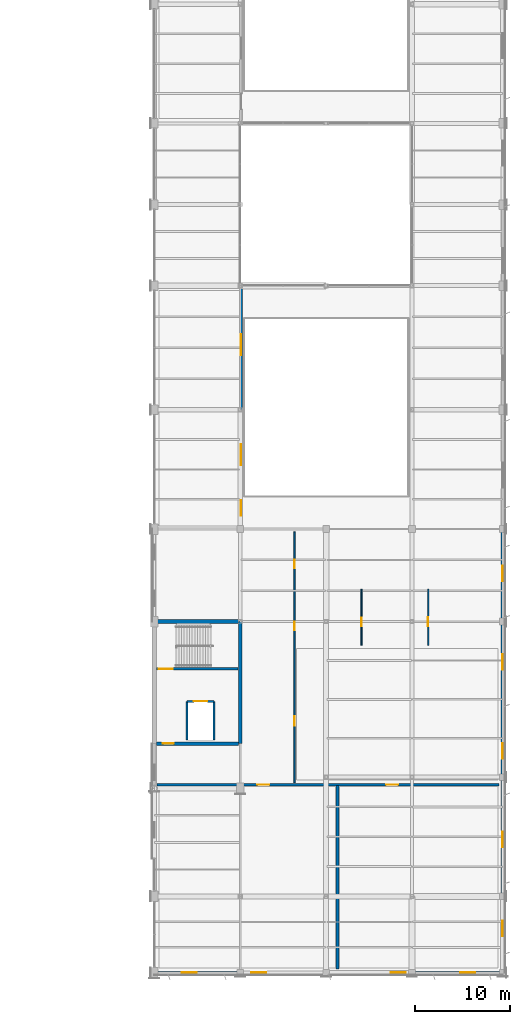
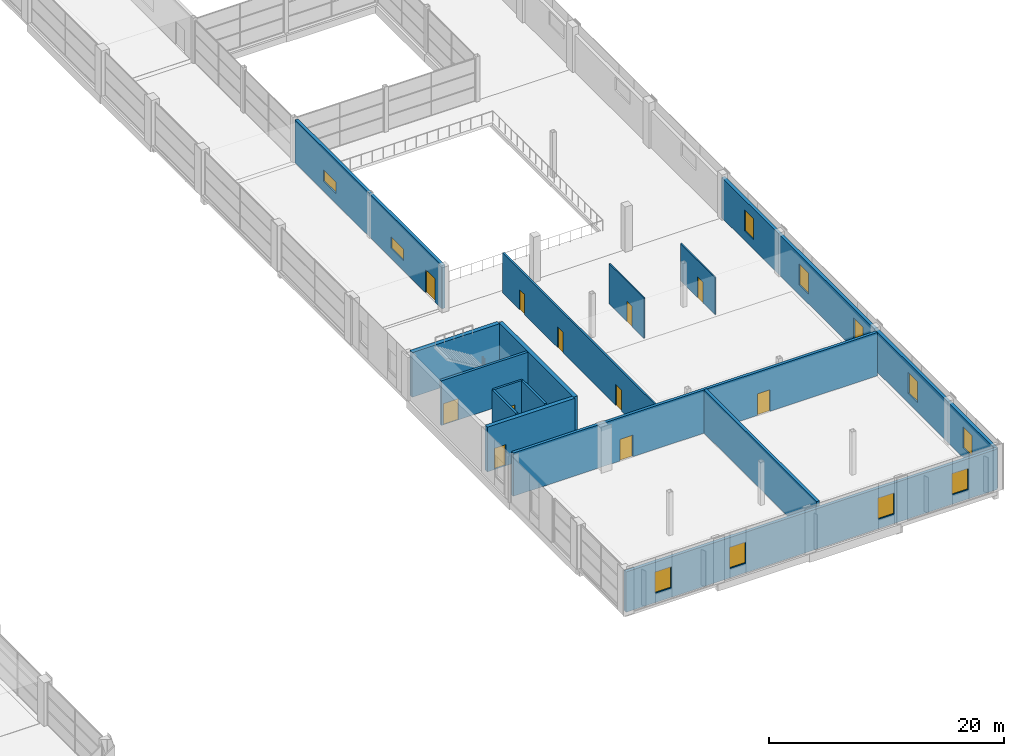
# One storey, part 94 of 112: 15 walls, 11 doors, 11 windows, 22 openings.
"""IFC4 building model written with IfcOpenShell, lengths in metres."""

from ifc_helpers import new_model, si_unit, direction, frame, frame_2d, origin, place, context, subcontext, project, spatial, rectangle, extrude, material, layer, layer_set, type_object, element, fill, save


model = new_model("IFC4")

# Units and contexts
model_context = context("Model", 3, precision=1e-05, world=origin(), true_north=direction((0.0, 1.0)))
body_context = subcontext(model_context, "Body", "Model", "MODEL_VIEW")
ifc_project = project(units=[si_unit("LENGTHUNIT", "METRE"), si_unit("AREAUNIT", "SQUARE_METRE"), si_unit("VOLUMEUNIT", "CUBIC_METRE"), si_unit("PLANEANGLEUNIT", "RADIAN"), si_unit("MASSUNIT", "GRAM", prefix="KILO")], contexts=[model_context])

# Site, building, storey
site_placement = place(None, origin())
site = spatial("IfcSite", under=ifc_project, at=site_placement, CompositionType="ELEMENT")
building_placement = place(site_placement, origin())
building = spatial("IfcBuilding", under=site, at=building_placement, Name="Solvikara Media Centre", CompositionType="ELEMENT")
storey_placement = place(building_placement, frame((0.0, 0.0, 5.39990234375)))
storey = spatial("IfcBuildingStorey", under=building, at=storey_placement, Name="L01", CompositionType="ELEMENT", Elevation=5.39990234375)

# Walls
ifc_material_1 = material(Name="Concrete fc' 45 MPa (C45/55)", Category="concrete")
ifc_layer_1 = layer(ifc_material_1, 0.39990234375)
ifc_layer_set_1 = layer_set([ifc_layer_1], Name="Concrete fc' 45 MPa (C45/55)")
wall_type_1 = type_object("IfcWallType", Name="WT-02", PredefinedType="SHEAR", material=ifc_layer_set_1)
wall_1_placement = place(storey_placement, frame((136.5, 24.0, 0.0), z_axis=(0.0, 0.0, 1.0), x_axis=(0.0, 1.0, 0.0)))
element("IfcWall", 1, at=wall_1_placement, inside=storey, type_object=wall_type_1, Name="CW-C4-L01-E", PredefinedType="SHEAR", context=body_context, shape_type="SweptSolid", body=[
    extrude(rectangle(XDim=12.800048828125, YDim=0.39990234375, at=frame_2d((6.39990234375, 0.0))), origin(), (0.0, 0.0, 1.0), 4.64013671875),
])
wall_2_placement = place(storey_placement, frame((127.699951171875, 36.800048828125, 0.0), z_axis=(0.0, 0.0, 1.0), x_axis=(1.0, 0.0, 0.0)))
element("IfcWall", 2, at=wall_2_placement, inside=storey, type_object=wall_type_1, Name="CW-C4-L01-N", PredefinedType="SHEAR", context=body_context, shape_type="SweptSolid", body=[
    extrude(rectangle(XDim=8.60009765625, YDim=0.39990234375, at=frame_2d((4.300048828125, 0.0))), origin(), (0.0, 0.0, 1.0), 4.64013671875),
])

# Wall, opening, door
wall_3_placement = place(storey_placement, frame((127.699951171875, 24.0, 0.0), z_axis=(0.0, 0.0, 1.0), x_axis=(1.0, 0.0, 0.0)))
wall_3 = element("IfcWall", 3, at=wall_3_placement, inside=storey, type_object=wall_type_1, Name="CW-C4-L01-S", PredefinedType="SHEAR", context=body_context, shape_type="SweptSolid", body=[
    extrude(rectangle(XDim=8.60009765625, YDim=0.39990234375, at=frame_2d((4.300048828125, 0.0))), origin(), (0.0, 0.0, 1.0), 4.64013671875),
])
opening_1_placement = place(wall_3_placement, frame((0.699951171875, 0.0, 0.0)))
opening_1 = element("IfcOpeningElement", 4, at=opening_1_placement, cuts=wall_3, Name="Opening D-C4-L01-LOB", PredefinedType="OPENING", context=body_context, shape_type="SweptSolid", body=[
    extrude(rectangle(XDim=1.14990234375, YDim=2.199951171875, at=frame_2d((0.574951171875, 1.10009765625))), frame((0.0, 0.2119140625, 0.0), z_axis=(0.0, -1.0, 0.0), x_axis=(1.0, 0.0, 0.0)), (0.0, 0.0, 1.0), 0.423828125),
])
ifc_material_2 = material(Name="Insulated fire-rated steel door leaf", Category="steel")
door_type_1 = type_object("IfcDoorType", Name="DT-09", OperationType="NOTDEFINED", PredefinedType="DOOR", material=ifc_material_2)
door_1_placement = place(opening_1_placement, frame((1.14990234375, 0.0, 0.0), z_axis=(0.0, 0.0, 1.0), x_axis=(-1.0, 0.0, 0.0)))
door_1 = element("IfcDoor", 5, at=door_1_placement, inside=storey, type_object=door_type_1, Name="D-C4-L01-LOB", OperationType="SINGLE_SWING_RIGHT", OverallHeight=2.199951171875, OverallWidth=1.14990234375, PredefinedType="DOOR", context=body_context, shape_type="SweptSolid", body=[
    extrude(rectangle(XDim=1.14990234375, YDim=2.199951171875, at=frame_2d((0.574951171875, 1.10009765625))), frame((0.0, 0.02490234375, 0.0), z_axis=(0.0, -1.0, 0.0), x_axis=(1.0, 0.0, 0.0)), (0.0, 0.0, 1.0), 0.050048828125),
])
fill(opening_1, door_1)

# Wall, openings, door, windows
ifc_layer_2 = layer(ifc_material_1, 0.300048828125)
ifc_layer_set_2 = layer_set([ifc_layer_2], Name="Concrete fc' 45 MPa (C45/55)")
wall_type_2 = type_object("IfcWallType", Name="WT-05", PredefinedType="STANDARD", material=ifc_layer_set_2)
wall_4_placement = place(storey_placement, frame((136.60009765625, 46.699951171875, 0.0), z_axis=(0.0, 0.0, 1.0), x_axis=(0.0, 1.0, 0.0)))
wall_4 = element("IfcWall", 6, at=wall_4_placement, inside=storey, type_object=wall_type_2, Name="PW-L01-054", PredefinedType="STANDARD", context=body_context, shape_type="SweptSolid", body=[
    extrude(rectangle(XDim=25.0, YDim=0.300048828125, at=frame_2d((12.5, 0.0))), origin(), (0.0, 0.0, 1.0), 4.5),
])
opening_2_placement = place(wall_4_placement, frame((1.199951171875, 0.0, 0.0)))
opening_2 = element("IfcOpeningElement", 7, at=opening_2_placement, cuts=wall_4, Name="Opening D-L01-054-1", PredefinedType="OPENING", context=body_context, shape_type="SweptSolid", body=[
    extrude(rectangle(XDim=1.60009765625, YDim=2.39990234375, at=frame_2d((0.800048828125, 1.199951171875))), frame((0.0, 0.162109375, 0.0), z_axis=(0.0, -1.0, 0.0), x_axis=(1.0, 0.0, 0.0)), (0.0, 0.0, 1.0), 0.323974609375),
])
opening_3_placement = place(wall_4_placement, frame((6.5, 0.0, 1.050048828125)))
opening_3 = element("IfcOpeningElement", 8, at=opening_3_placement, cuts=wall_4, Name="Opening WI-L01-054-1", PredefinedType="OPENING", context=body_context, shape_type="SweptSolid", body=[
    extrude(rectangle(XDim=2.199951171875, YDim=1.199951171875, at=frame_2d((1.10009765625, 0.60009765625))), frame((0.0, 0.162109375, 0.0), z_axis=(0.0, -1.0, 0.0), x_axis=(1.0, 0.0, 0.0)), (0.0, 0.0, 1.0), 0.323974609375),
])
opening_4_placement = place(wall_4_placement, frame((18.0, 0.0, 1.050048828125)))
opening_4 = element("IfcOpeningElement", 9, at=opening_4_placement, cuts=wall_4, Name="Opening WI-L01-054-2", PredefinedType="OPENING", context=body_context, shape_type="SweptSolid", body=[
    extrude(rectangle(XDim=2.199951171875, YDim=1.199951171875, at=frame_2d((1.10009765625, 0.60009765625))), frame((0.0, 0.162109375, 0.0), z_axis=(0.0, -1.0, 0.0), x_axis=(1.0, 0.0, 0.0)), (0.0, 0.0, 1.0), 0.323974609375),
])
ifc_material_3 = material(Name="Solid core acoustic hardwood timber", Category="wood")
door_type_2 = type_object("IfcDoorType", Name="DT-13", OperationType="DOUBLE_DOOR_SINGLE_SWING", PredefinedType="DOOR", material=ifc_material_3)
door_2_placement = place(opening_2_placement, origin())
door_2 = element("IfcDoor", 10, at=door_2_placement, inside=storey, type_object=door_type_2, Name="D-L01-054-1", OperationType="DOUBLE_DOOR_SINGLE_SWING", OverallHeight=2.39990234375, OverallWidth=1.60009765625, PredefinedType="DOOR", context=body_context, shape_type="SweptSolid", body=[
    extrude(rectangle(XDim=1.60009765625, YDim=2.39990234375, at=frame_2d((0.800048828125, 1.199951171875))), frame((0.0, 0.02490234375, 0.0), z_axis=(0.0, -1.0, 0.0), x_axis=(1.0, 0.0, 0.0)), (0.0, 0.0, 1.0), 0.050048828125),
])
fill(opening_2, door_2)
ifc_material_4 = material(Name="Double-glazed low-E architectural glass", Category="glass")
window_type_1 = type_object("IfcWindowType", Name="WN-13", PartitioningType="SINGLE_PANEL", PredefinedType="WINDOW", material=ifc_material_4)
window_1_placement = place(opening_3_placement, origin())
window_1 = element("IfcWindow", 11, at=window_1_placement, inside=storey, type_object=window_type_1, Name="WI-L01-054-1", OverallHeight=1.199951171875, OverallWidth=2.199951171875, PartitioningType="SINGLE_PANEL", PredefinedType="WINDOW", context=body_context, shape_type="SweptSolid", body=[
    extrude(rectangle(XDim=2.199951171875, YDim=1.199951171875, at=frame_2d((1.10009765625, 0.60009765625))), frame((0.0, 0.030029296875, 0.0), z_axis=(0.0, -1.0, 0.0), x_axis=(1.0, 0.0, 0.0)), (0.0, 0.0, 1.0), 0.06005859375),
])
fill(opening_3, window_1)
window_2_placement = place(opening_4_placement, origin())
window_2 = element("IfcWindow", 12, at=window_2_placement, inside=storey, type_object=window_type_1, Name="WI-L01-054-2", OverallHeight=1.199951171875, OverallWidth=2.199951171875, PartitioningType="SINGLE_PANEL", PredefinedType="WINDOW", context=body_context, shape_type="SweptSolid", body=[
    extrude(rectangle(XDim=2.199951171875, YDim=1.199951171875, at=frame_2d((1.10009765625, 0.60009765625))), frame((0.0, 0.030029296875, 0.0), z_axis=(0.0, -1.0, 0.0), x_axis=(1.0, 0.0, 0.0)), (0.0, 0.0, 1.0), 0.06005859375),
])
fill(opening_4, window_2)

# Wall, openings, doors
ifc_layer_3 = layer(ifc_material_1, 0.280029296875)
ifc_layer_set_3 = layer_set([ifc_layer_3], Name="Concrete fc' 45 MPa (C45/55)")
wall_type_3 = type_object("IfcWallType", Name="WT-06", PredefinedType="STANDARD", material=ifc_layer_set_3)
wall_5_placement = place(storey_placement, frame((127.800048828125, 19.699951171875, 0.0), z_axis=(0.0, 0.0, 1.0), x_axis=(1.0, 0.0, 0.0)))
wall_5 = element("IfcWall", 13, at=wall_5_placement, inside=storey, type_object=wall_type_3, Name="PW-L01-049", PredefinedType="STANDARD", context=body_context, shape_type="SweptSolid", body=[
    extrude(rectangle(XDim=35.800048828125, YDim=0.280029296875, at=frame_2d((17.89990234375, 0.0))), origin(), (0.0, 0.0, 1.0), 4.5),
])
opening_5_placement = place(wall_5_placement, frame((10.5, 0.0, 0.0)))
opening_5 = element("IfcOpeningElement", 14, at=opening_5_placement, cuts=wall_5, Name="Opening D-L01-049-1", PredefinedType="OPENING", context=body_context, shape_type="SweptSolid", body=[
    extrude(rectangle(XDim=1.25, YDim=2.25, at=frame_2d((0.625, 1.125))), frame((0.0, 0.15185546875, 0.0), z_axis=(0.0, -1.0, 0.0), x_axis=(1.0, 0.0, 0.0)), (0.0, 0.0, 1.0), 0.303955078125),
])
opening_6_placement = place(wall_5_placement, frame((24.0, 0.0, 0.0)))
opening_6 = element("IfcOpeningElement", 15, at=opening_6_placement, cuts=wall_5, Name="Opening D-L01-049-2", PredefinedType="OPENING", context=body_context, shape_type="SweptSolid", body=[
    extrude(rectangle(XDim=1.25, YDim=2.25, at=frame_2d((0.625, 1.125))), frame((0.0, 0.15185546875, 0.0), z_axis=(0.0, -1.0, 0.0), x_axis=(1.0, 0.0, 0.0)), (0.0, 0.0, 1.0), 0.303955078125),
])
door_type_3 = type_object("IfcDoorType", Name="DT-15", OperationType="NOTDEFINED", PredefinedType="DOOR", material=ifc_material_3)
door_3_placement = place(opening_5_placement, origin())
door_3 = element("IfcDoor", 16, at=door_3_placement, inside=storey, type_object=door_type_3, Name="D-L01-049-1", OperationType="SINGLE_SWING_LEFT", OverallHeight=2.25, OverallWidth=1.25, PredefinedType="DOOR", context=body_context, shape_type="SweptSolid", body=[
    extrude(rectangle(XDim=1.25, YDim=2.25, at=frame_2d((0.625, 1.125))), frame((0.0, 0.02490234375, 0.0), z_axis=(0.0, -1.0, 0.0), x_axis=(1.0, 0.0, 0.0)), (0.0, 0.0, 1.0), 0.050048828125),
])
fill(opening_5, door_3)
door_4_placement = place(opening_6_placement, origin())
door_4 = element("IfcDoor", 17, at=door_4_placement, inside=storey, type_object=door_type_3, Name="D-L01-049-2", OperationType="SINGLE_SWING_RIGHT", OverallHeight=2.25, OverallWidth=1.25, PredefinedType="DOOR", context=body_context, shape_type="SweptSolid", body=[
    extrude(rectangle(XDim=1.25, YDim=2.25, at=frame_2d((0.625, 1.125))), frame((0.0, 0.02490234375, 0.0), z_axis=(0.0, -1.0, 0.0), x_axis=(1.0, 0.0, 0.0)), (0.0, 0.0, 1.0), 0.050048828125),
])
fill(opening_6, door_4)

# Wall
wall_6_placement = place(storey_placement, frame((146.699951171875, 0.39990234375, 0.0), z_axis=(0.0, 0.0, 1.0), x_axis=(0.0, 1.0, 0.0)))
element("IfcWall", 18, at=wall_6_placement, inside=storey, type_object=wall_type_3, Name="PW-L01-050", PredefinedType="STANDARD", context=body_context, shape_type="SweptSolid", body=[
    extrude(rectangle(XDim=19.2001953125, YDim=0.280029296875, at=frame_2d((9.60009765625, 0.0))), origin(), (0.0, 0.0, 1.0), 4.5),
])

# Wall, opening, door
ifc_layer_4 = layer(ifc_material_1, 0.25)
ifc_layer_set_4 = layer_set([ifc_layer_4], Name="Concrete fc' 45 MPa (C45/55)")
wall_type_4 = type_object("IfcWallType", Name="WT-07", PredefinedType="STANDARD", material=ifc_layer_set_4)
wall_7_placement = place(storey_placement, frame((127.75, 31.85009765625, 0.0), z_axis=(0.0, 0.0, 1.0), x_axis=(1.0, 0.0, 0.0)))
wall_7 = element("IfcWall", 19, at=wall_7_placement, inside=storey, type_object=wall_type_4, Name="CW-C4-L01-SD", PredefinedType="STANDARD", context=body_context, shape_type="SweptSolid", body=[
    extrude(rectangle(XDim=8.5, YDim=0.25, at=frame_2d((4.25, 0.0))), origin(), (0.0, 0.0, 1.0), 4.64013671875),
])
opening_7_placement = place(wall_7_placement, frame((0.199951171875, 0.0, 0.0)))
opening_7 = element("IfcOpeningElement", 20, at=opening_7_placement, cuts=wall_7, Name="Opening D-C4-L01-ST", PredefinedType="OPENING", context=body_context, shape_type="SweptSolid", body=[
    extrude(rectangle(XDim=1.5, YDim=2.199951171875, at=frame_2d((0.75, 1.10009765625))), frame((0.0, 0.136962890625, 0.0), z_axis=(0.0, -1.0, 0.0), x_axis=(1.0, 0.0, 0.0)), (0.0, 0.0, 1.0), 0.27392578125),
])
door_type_4 = type_object("IfcDoorType", Name="DT-08", OperationType="DOUBLE_DOOR_SINGLE_SWING", PredefinedType="DOOR", material=ifc_material_2)
door_5_placement = place(opening_7_placement, frame((1.5, 0.0, 0.0), z_axis=(0.0, 0.0, 1.0), x_axis=(-1.0, 0.0, 0.0)))
door_5 = element("IfcDoor", 21, at=door_5_placement, inside=storey, type_object=door_type_4, Name="D-C4-L01-ST", OperationType="DOUBLE_DOOR_SINGLE_SWING", OverallHeight=2.199951171875, OverallWidth=1.5, PredefinedType="DOOR", context=body_context, shape_type="SweptSolid", body=[
    extrude(rectangle(XDim=1.5, YDim=2.199951171875, at=frame_2d((0.75, 1.10009765625))), frame((0.0, 0.02490234375, 0.0), z_axis=(0.0, -1.0, 0.0), x_axis=(1.0, 0.0, 0.0)), (0.0, 0.0, 1.0), 0.050048828125),
])
fill(opening_7, door_5)

# Wall, openings, windows
ifc_material_5 = material(Name="Precast concrete fc' 40 MPa (C40/50)", Category="concrete")
ifc_layer_5 = layer(ifc_material_5, 0.31005859375)
ifc_layer_set_5 = layer_set([ifc_layer_5], Name="Precast concrete fc' 40 MPa (C40/50)")
wall_type_5 = type_object("IfcWallType", Name="WT-10", PredefinedType="STANDARD", material=ifc_layer_set_5)
wall_8_placement = place(storey_placement, frame((127.5, 0.0, 0.0), z_axis=(0.0, 0.0, 1.0), x_axis=(1.0, 0.0, 0.0)))
wall_8 = element("IfcWall", 22, at=wall_8_placement, inside=storey, type_object=wall_type_5, Name="EW-L01-V5-S", PredefinedType="STANDARD", context=body_context, shape_type="SweptSolid", body=[
    extrude(rectangle(XDim=36.5, YDim=0.31005859375, at=frame_2d((18.25, 0.0))), origin(), (0.0, 0.0, 1.0), 4.197998046875),
])
opening_8_placement = place(wall_8_placement, frame((2.85009765625, 0.0, 1.0)))
opening_8 = element("IfcOpeningElement", 23, at=opening_8_placement, cuts=wall_8, Name="Opening W-L01-V5S-W01", PredefinedType="OPENING", context=body_context, shape_type="SweptSolid", body=[
    extrude(rectangle(XDim=1.60009765625, YDim=2.199951171875, at=frame_2d((0.800048828125, 1.10009765625))), frame((0.0, 0.1669921875, 0.0), z_axis=(0.0, -1.0, 0.0), x_axis=(1.0, 0.0, 0.0)), (0.0, 0.0, 1.0), 0.333984375),
])
opening_9_placement = place(wall_8_placement, frame((10.14990234375, 0.0, 1.0)))
opening_9 = element("IfcOpeningElement", 24, at=opening_9_placement, cuts=wall_8, Name="Opening W-L01-V5S-W02", PredefinedType="OPENING", context=body_context, shape_type="SweptSolid", body=[
    extrude(rectangle(XDim=1.60009765625, YDim=2.199951171875, at=frame_2d((0.800048828125, 1.10009765625))), frame((0.0, 0.1669921875, 0.0), z_axis=(0.0, -1.0, 0.0), x_axis=(1.0, 0.0, 0.0)), (0.0, 0.0, 1.0), 0.333984375),
])
opening_10_placement = place(wall_8_placement, frame((24.75, 0.0, 1.0)))
opening_10 = element("IfcOpeningElement", 25, at=opening_10_placement, cuts=wall_8, Name="Opening W-L01-V5S-W04", PredefinedType="OPENING", context=body_context, shape_type="SweptSolid", body=[
    extrude(rectangle(XDim=1.60009765625, YDim=2.199951171875, at=frame_2d((0.800048828125, 1.10009765625))), frame((0.0, 0.1669921875, 0.0), z_axis=(0.0, -1.0, 0.0), x_axis=(1.0, 0.0, 0.0)), (0.0, 0.0, 1.0), 0.333984375),
])
opening_11_placement = place(wall_8_placement, frame((32.050048828125, 0.0, 1.0)))
opening_11 = element("IfcOpeningElement", 26, at=opening_11_placement, cuts=wall_8, Name="Opening W-L01-V5S-W05", PredefinedType="OPENING", context=body_context, shape_type="SweptSolid", body=[
    extrude(rectangle(XDim=1.60009765625, YDim=2.199951171875, at=frame_2d((0.800048828125, 1.10009765625))), frame((0.0, 0.1669921875, 0.0), z_axis=(0.0, -1.0, 0.0), x_axis=(1.0, 0.0, 0.0)), (0.0, 0.0, 1.0), 0.333984375),
])
window_type_2 = type_object("IfcWindowType", Name="WN-07", PartitioningType="SINGLE_PANEL", PredefinedType="WINDOW", material=ifc_material_4)
window_3_placement = place(opening_8_placement, origin())
window_3 = element("IfcWindow", 27, at=window_3_placement, inside=storey, type_object=window_type_2, Name="W-L01-V5S-W01", OverallHeight=2.199951171875, OverallWidth=1.60009765625, PartitioningType="SINGLE_PANEL", PredefinedType="WINDOW", context=body_context, shape_type="SweptSolid", body=[
    extrude(rectangle(XDim=1.60009765625, YDim=2.199951171875, at=frame_2d((0.800048828125, 1.10009765625))), frame((0.0, 0.030029296875, 0.0), z_axis=(0.0, -1.0, 0.0), x_axis=(1.0, 0.0, 0.0)), (0.0, 0.0, 1.0), 0.06005859375),
])
fill(opening_8, window_3)
window_4_placement = place(opening_9_placement, origin())
window_4 = element("IfcWindow", 28, at=window_4_placement, inside=storey, type_object=window_type_2, Name="W-L01-V5S-W02", OverallHeight=2.199951171875, OverallWidth=1.60009765625, PartitioningType="SINGLE_PANEL", PredefinedType="WINDOW", context=body_context, shape_type="SweptSolid", body=[
    extrude(rectangle(XDim=1.60009765625, YDim=2.199951171875, at=frame_2d((0.800048828125, 1.10009765625))), frame((0.0, 0.030029296875, 0.0), z_axis=(0.0, -1.0, 0.0), x_axis=(1.0, 0.0, 0.0)), (0.0, 0.0, 1.0), 0.06005859375),
])
fill(opening_9, window_4)
window_5_placement = place(opening_10_placement, origin())
window_5 = element("IfcWindow", 29, at=window_5_placement, inside=storey, type_object=window_type_2, Name="W-L01-V5S-W04", OverallHeight=2.199951171875, OverallWidth=1.60009765625, PartitioningType="SINGLE_PANEL", PredefinedType="WINDOW", context=body_context, shape_type="SweptSolid", body=[
    extrude(rectangle(XDim=1.60009765625, YDim=2.199951171875, at=frame_2d((0.800048828125, 1.10009765625))), frame((0.0, 0.030029296875, 0.0), z_axis=(0.0, -1.0, 0.0), x_axis=(1.0, 0.0, 0.0)), (0.0, 0.0, 1.0), 0.06005859375),
])
fill(opening_10, window_5)
window_6_placement = place(opening_11_placement, origin())
window_6 = element("IfcWindow", 30, at=window_6_placement, inside=storey, type_object=window_type_2, Name="W-L01-V5S-W05", OverallHeight=2.199951171875, OverallWidth=1.60009765625, PartitioningType="SINGLE_PANEL", PredefinedType="WINDOW", context=body_context, shape_type="SweptSolid", body=[
    extrude(rectangle(XDim=1.60009765625, YDim=2.199951171875, at=frame_2d((0.800048828125, 1.10009765625))), frame((0.0, 0.030029296875, 0.0), z_axis=(0.0, -1.0, 0.0), x_axis=(1.0, 0.0, 0.0)), (0.0, 0.0, 1.0), 0.06005859375),
])
fill(opening_11, window_6)

wall_9_placement = place(storey_placement, frame((164.0, 0.0, 0.0), z_axis=(0.0, 0.0, 1.0), x_axis=(0.0, 1.0, 0.0)))
wall_9 = element("IfcWall", 31, at=wall_9_placement, inside=storey, type_object=wall_type_5, Name="EW-L01-V5-E", PredefinedType="STANDARD", context=body_context, shape_type="SweptSolid", body=[
    extrude(rectangle(XDim=46.5, YDim=0.31005859375, at=frame_2d((23.25, 0.0))), origin(), (0.0, 0.0, 1.0), 4.197998046875),
])
opening_12_placement = place(wall_9_placement, frame((3.85009765625, 0.0, 1.0)))
opening_12 = element("IfcOpeningElement", 32, at=opening_12_placement, cuts=wall_9, Name="Opening W-L01-V5E-W01", PredefinedType="OPENING", context=body_context, shape_type="SweptSolid", body=[
    extrude(rectangle(XDim=1.60009765625, YDim=2.199951171875, at=frame_2d((0.800048828125, 1.10009765625))), frame((0.0, 0.1669921875, 0.0), z_axis=(0.0, -1.0, 0.0), x_axis=(1.0, 0.0, 0.0)), (0.0, 0.0, 1.0), 0.333984375),
])
opening_13_placement = place(wall_9_placement, frame((13.14990234375, 0.0, 1.0)))
opening_13 = element("IfcOpeningElement", 33, at=opening_13_placement, cuts=wall_9, Name="Opening W-L01-V5E-W02", PredefinedType="OPENING", context=body_context, shape_type="SweptSolid", body=[
    extrude(rectangle(XDim=1.60009765625, YDim=2.199951171875, at=frame_2d((0.800048828125, 1.10009765625))), frame((0.0, 0.1669921875, 0.0), z_axis=(0.0, -1.0, 0.0), x_axis=(1.0, 0.0, 0.0)), (0.0, 0.0, 1.0), 0.333984375),
])
opening_14_placement = place(wall_9_placement, frame((22.449951171875, 0.0, 1.0)))
opening_14 = element("IfcOpeningElement", 34, at=opening_14_placement, cuts=wall_9, Name="Opening W-L01-V5E-W03", PredefinedType="OPENING", context=body_context, shape_type="SweptSolid", body=[
    extrude(rectangle(XDim=1.60009765625, YDim=2.199951171875, at=frame_2d((0.800048828125, 1.10009765625))), frame((0.0, 0.1669921875, 0.0), z_axis=(0.0, -1.0, 0.0), x_axis=(1.0, 0.0, 0.0)), (0.0, 0.0, 1.0), 0.333984375),
])
opening_15_placement = place(wall_9_placement, frame((31.75, 0.0, 1.0)))
opening_15 = element("IfcOpeningElement", 35, at=opening_15_placement, cuts=wall_9, Name="Opening W-L01-V5E-W04", PredefinedType="OPENING", context=body_context, shape_type="SweptSolid", body=[
    extrude(rectangle(XDim=1.60009765625, YDim=2.199951171875, at=frame_2d((0.800048828125, 1.10009765625))), frame((0.0, 0.1669921875, 0.0), z_axis=(0.0, -1.0, 0.0), x_axis=(1.0, 0.0, 0.0)), (0.0, 0.0, 1.0), 0.333984375),
])
opening_16_placement = place(wall_9_placement, frame((41.050048828125, 0.0, 1.0)))
opening_16 = element("IfcOpeningElement", 36, at=opening_16_placement, cuts=wall_9, Name="Opening W-L01-V5E-W05", PredefinedType="OPENING", context=body_context, shape_type="SweptSolid", body=[
    extrude(rectangle(XDim=1.60009765625, YDim=2.199951171875, at=frame_2d((0.800048828125, 1.10009765625))), frame((0.0, 0.1669921875, 0.0), z_axis=(0.0, -1.0, 0.0), x_axis=(1.0, 0.0, 0.0)), (0.0, 0.0, 1.0), 0.333984375),
])
window_7_placement = place(opening_12_placement, origin())
window_7 = element("IfcWindow", 37, at=window_7_placement, inside=storey, type_object=window_type_2, Name="W-L01-V5E-W01", OverallHeight=2.199951171875, OverallWidth=1.60009765625, PartitioningType="SINGLE_PANEL", PredefinedType="WINDOW", context=body_context, shape_type="SweptSolid", body=[
    extrude(rectangle(XDim=1.60009765625, YDim=2.199951171875, at=frame_2d((0.800048828125, 1.10009765625))), frame((0.0, 0.030029296875, 0.0), z_axis=(0.0, -1.0, 0.0), x_axis=(1.0, 0.0, 0.0)), (0.0, 0.0, 1.0), 0.06005859375),
])
fill(opening_12, window_7)
window_8_placement = place(opening_13_placement, origin())
window_8 = element("IfcWindow", 38, at=window_8_placement, inside=storey, type_object=window_type_2, Name="W-L01-V5E-W02", OverallHeight=2.199951171875, OverallWidth=1.60009765625, PartitioningType="SINGLE_PANEL", PredefinedType="WINDOW", context=body_context, shape_type="SweptSolid", body=[
    extrude(rectangle(XDim=1.60009765625, YDim=2.199951171875, at=frame_2d((0.800048828125, 1.10009765625))), frame((0.0, 0.030029296875, 0.0), z_axis=(0.0, -1.0, 0.0), x_axis=(1.0, 0.0, 0.0)), (0.0, 0.0, 1.0), 0.06005859375),
])
fill(opening_13, window_8)
window_9_placement = place(opening_14_placement, origin())
window_9 = element("IfcWindow", 39, at=window_9_placement, inside=storey, type_object=window_type_2, Name="W-L01-V5E-W03", OverallHeight=2.199951171875, OverallWidth=1.60009765625, PartitioningType="SINGLE_PANEL", PredefinedType="WINDOW", context=body_context, shape_type="SweptSolid", body=[
    extrude(rectangle(XDim=1.60009765625, YDim=2.199951171875, at=frame_2d((0.800048828125, 1.10009765625))), frame((0.0, 0.030029296875, 0.0), z_axis=(0.0, -1.0, 0.0), x_axis=(1.0, 0.0, 0.0)), (0.0, 0.0, 1.0), 0.06005859375),
])
fill(opening_14, window_9)
window_10_placement = place(opening_15_placement, origin())
window_10 = element("IfcWindow", 40, at=window_10_placement, inside=storey, type_object=window_type_2, Name="W-L01-V5E-W04", OverallHeight=2.199951171875, OverallWidth=1.60009765625, PartitioningType="SINGLE_PANEL", PredefinedType="WINDOW", context=body_context, shape_type="SweptSolid", body=[
    extrude(rectangle(XDim=1.60009765625, YDim=2.199951171875, at=frame_2d((0.800048828125, 1.10009765625))), frame((0.0, 0.030029296875, 0.0), z_axis=(0.0, -1.0, 0.0), x_axis=(1.0, 0.0, 0.0)), (0.0, 0.0, 1.0), 0.06005859375),
])
fill(opening_15, window_10)
window_11_placement = place(opening_16_placement, origin())
window_11 = element("IfcWindow", 41, at=window_11_placement, inside=storey, type_object=window_type_2, Name="W-L01-V5E-W05", OverallHeight=2.199951171875, OverallWidth=1.60009765625, PartitioningType="SINGLE_PANEL", PredefinedType="WINDOW", context=body_context, shape_type="SweptSolid", body=[
    extrude(rectangle(XDim=1.60009765625, YDim=2.199951171875, at=frame_2d((0.800048828125, 1.10009765625))), frame((0.0, 0.030029296875, 0.0), z_axis=(0.0, -1.0, 0.0), x_axis=(1.0, 0.0, 0.0)), (0.0, 0.0, 1.0), 0.06005859375),
])
fill(opening_16, window_11)

# Walls
ifc_material_6 = material(Name="Fire-rated gypsum and mineral-wool shaft wall assembly")
ifc_layer_6 = layer(ifc_material_6, 0.2099609375)
ifc_layer_set_6 = layer_set([ifc_layer_6], Name="Fire-rated gypsum and mineral-wool shaft wall assembly")
wall_type_6 = type_object("IfcWallType", Name="WT-17", PredefinedType="PARTITIONING", material=ifc_layer_set_6)
for number, where, z_axis, x_axis, name in (
    (42, (130.929931640625, 24.39990234375, 0.0), (0.0, 0.0, 1.0), (0.0, 1.0, 0.0), "LW-LF-G1-L01-W"),
    (43, (133.77001953125, 24.39990234375, 0.0), (0.0, 0.0, 1.0), (0.0, 1.0, 0.0), "LW-LF-G1-L01-E"),
):
    element("IfcWall", number, at=place(storey_placement, frame(where, z_axis=z_axis, x_axis=x_axis)), inside=storey, type_object=wall_type_6, Name=name, PredefinedType="PARTITIONING", context=body_context, shape_type="SweptSolid", body=[
        extrude(rectangle(XDim=4.050048828125, YDim=0.2099609375, at=frame_2d((2.02490234375, 0.0))), origin(), (0.0, 0.0, 1.0), 4.64013671875),
    ])

# Wall, opening, door
wall_10_placement = place(storey_placement, frame((130.929931640625, 28.449951171875, 0.0), z_axis=(0.0, 0.0, 1.0), x_axis=(1.0, 0.0, 0.0)))
wall_10 = element("IfcWall", 44, at=wall_10_placement, inside=storey, type_object=wall_type_6, Name="LW-LF-G1-L01-N", PredefinedType="PARTITIONING", context=body_context, shape_type="SweptSolid", body=[
    extrude(rectangle(XDim=2.840087890625, YDim=0.2099609375, at=frame_2d((1.419921875, 0.0))), origin(), (0.0, 0.0, 1.0), 4.64013671875),
])
opening_17_placement = place(wall_10_placement, frame((0.719970703125, 0.0, 0.0)))
opening_17 = element("IfcOpeningElement", 45, at=opening_17_placement, cuts=wall_10, Name="Opening LD-LF-G1-L01", PredefinedType="OPENING", context=body_context, shape_type="SweptSolid", body=[
    extrude(rectangle(XDim=1.39990234375, YDim=2.35009765625, at=frame_2d((0.699951171875, 1.175048828125))), frame((0.0, 0.116943359375, 0.0), z_axis=(0.0, -1.0, 0.0), x_axis=(1.0, 0.0, 0.0)), (0.0, 0.0, 1.0), 0.23388671875),
])
door_type_5 = type_object("IfcDoorType", Name="LD-03", OperationType="DOUBLE_DOOR_SLIDING", PredefinedType="DOOR", material=ifc_material_2)
door_6_placement = place(opening_17_placement, origin())
door_6 = element("IfcDoor", 46, at=door_6_placement, inside=storey, type_object=door_type_5, Name="LD-LF-G1-L01", OperationType="DOUBLE_DOOR_SLIDING", OverallHeight=2.35009765625, OverallWidth=1.39990234375, PredefinedType="DOOR", context=body_context, shape_type="SweptSolid", body=[
    extrude(rectangle(XDim=1.39990234375, YDim=2.35009765625, at=frame_2d((0.699951171875, 1.175048828125))), frame((0.0, 0.02490234375, 0.0), z_axis=(0.0, -1.0, 0.0), x_axis=(1.0, 0.0, 0.0)), (0.0, 0.0, 1.0), 0.050048828125),
])
fill(opening_17, door_6)

# Wall, openings, doors
ifc_layer_7 = layer(ifc_material_6, 0.179931640625)
ifc_layer_set_7 = layer_set([ifc_layer_7], Name="Fire-rated gypsum and mineral-wool shaft wall assembly")
wall_type_7 = type_object("IfcWallType", Name="WT-18", PredefinedType="PARTITIONING", material=ifc_layer_set_7)
wall_11_placement = place(storey_placement, frame((142.199951171875, 19.89990234375, 0.0), z_axis=(0.0, 0.0, 1.0), x_axis=(0.0, 1.0, 0.0)))
wall_11 = element("IfcWall", 47, at=wall_11_placement, inside=storey, type_object=wall_type_7, Name="PW-L01-051", PredefinedType="PARTITIONING", context=body_context, shape_type="SweptSolid", body=[
    extrude(rectangle(XDim=26.300048828125, YDim=0.179931640625, at=frame_2d((13.14990234375, 0.0))), origin(), (0.0, 0.0, 1.0), 4.148193359375),
])
opening_18_placement = place(wall_11_placement, frame((6.0, 0.0, 0.0)))
opening_18 = element("IfcOpeningElement", 48, at=opening_18_placement, cuts=wall_11, Name="Opening D-L01-051-1", PredefinedType="OPENING", context=body_context, shape_type="SweptSolid", body=[
    extrude(rectangle(XDim=1.0, YDim=2.14990234375, at=frame_2d((0.5, 1.074951171875))), frame((0.0, 0.10205078125, 0.0), z_axis=(0.0, -1.0, 0.0), x_axis=(1.0, 0.0, 0.0)), (0.0, 0.0, 1.0), 0.203857421875),
])
opening_19_placement = place(wall_11_placement, frame((16.0, 0.0, 0.0)))
opening_19 = element("IfcOpeningElement", 49, at=opening_19_placement, cuts=wall_11, Name="Opening D-L01-051-2", PredefinedType="OPENING", context=body_context, shape_type="SweptSolid", body=[
    extrude(rectangle(XDim=0.89990234375, YDim=2.14990234375, at=frame_2d((0.449951171875, 1.074951171875))), frame((0.0, 0.10205078125, 0.0), z_axis=(0.0, -1.0, 0.0), x_axis=(1.0, 0.0, 0.0)), (0.0, 0.0, 1.0), 0.203857421875),
])
opening_20_placement = place(wall_11_placement, frame((22.5, 0.0, 0.0)))
opening_20 = element("IfcOpeningElement", 50, at=opening_20_placement, cuts=wall_11, Name="Opening D-L01-051-3", PredefinedType="OPENING", context=body_context, shape_type="SweptSolid", body=[
    extrude(rectangle(XDim=0.89990234375, YDim=2.10009765625, at=frame_2d((0.449951171875, 1.050048828125))), frame((0.0, 0.10205078125, 0.0), z_axis=(0.0, -1.0, 0.0), x_axis=(1.0, 0.0, 0.0)), (0.0, 0.0, 1.0), 0.203857421875),
])
door_type_6 = type_object("IfcDoorType", Name="DT-11", OperationType="NOTDEFINED", PredefinedType="DOOR", material=ifc_material_2)
door_7_placement = place(opening_20_placement, frame((0.89990234375, 0.0, 0.0), z_axis=(0.0, 0.0, 1.0), x_axis=(-1.0, 0.0, 0.0)))
door_7 = element("IfcDoor", 51, at=door_7_placement, inside=storey, type_object=door_type_6, Name="D-L01-051-3", OperationType="SINGLE_SWING_LEFT", OverallHeight=2.10009765625, OverallWidth=0.89990234375, PredefinedType="DOOR", context=body_context, shape_type="SweptSolid", body=[
    extrude(rectangle(XDim=0.89990234375, YDim=2.10009765625, at=frame_2d((0.449951171875, 1.050048828125))), frame((0.0, 0.02490234375, 0.0), z_axis=(0.0, -1.0, 0.0), x_axis=(1.0, 0.0, 0.0)), (0.0, 0.0, 1.0), 0.050048828125),
])
fill(opening_20, door_7)
door_type_7 = type_object("IfcDoorType", Name="DT-16", OperationType="NOTDEFINED", PredefinedType="DOOR", material=ifc_material_3)
door_8_placement = place(opening_18_placement, origin())
door_8 = element("IfcDoor", 52, at=door_8_placement, inside=storey, type_object=door_type_7, Name="D-L01-051-1", OperationType="SINGLE_SWING_LEFT", OverallHeight=2.14990234375, OverallWidth=1.0, PredefinedType="DOOR", context=body_context, shape_type="SweptSolid", body=[
    extrude(rectangle(XDim=1.0, YDim=2.14990234375, at=frame_2d((0.5, 1.074951171875))), frame((0.0, 0.02490234375, 0.0), z_axis=(0.0, -1.0, 0.0), x_axis=(1.0, 0.0, 0.0)), (0.0, 0.0, 1.0), 0.050048828125),
])
fill(opening_18, door_8)
door_type_8 = type_object("IfcDoorType", Name="DT-18", OperationType="NOTDEFINED", PredefinedType="DOOR", material=ifc_material_3)
door_9_placement = place(opening_19_placement, origin())
door_9 = element("IfcDoor", 53, at=door_9_placement, inside=storey, type_object=door_type_8, Name="D-L01-051-2", OperationType="SINGLE_SWING_RIGHT", OverallHeight=2.14990234375, OverallWidth=0.89990234375, PredefinedType="DOOR", context=body_context, shape_type="SweptSolid", body=[
    extrude(rectangle(XDim=0.89990234375, YDim=2.14990234375, at=frame_2d((0.449951171875, 1.074951171875))), frame((0.0, 0.02490234375, 0.0), z_axis=(0.0, -1.0, 0.0), x_axis=(1.0, 0.0, 0.0)), (0.0, 0.0, 1.0), 0.050048828125),
])
fill(opening_19, door_9)

# Wall, opening, door
ifc_material_7 = material(Name="Double-stud acoustic gypsum partition assembly")
ifc_layer_8 = layer(ifc_material_7, 0.1201171875)
ifc_layer_set_8 = layer_set([ifc_layer_8], Name="Double-stud acoustic gypsum partition assembly")
wall_type_8 = type_object("IfcWallType", Name="WT-21", PredefinedType="PARTITIONING", material=ifc_layer_set_8)
wall_12_placement = place(storey_placement, frame((149.199951171875, 34.300048828125, 0.0), z_axis=(0.0, 0.0, 1.0), x_axis=(0.0, 1.0, 0.0)))
wall_12 = element("IfcWall", 54, at=wall_12_placement, inside=storey, type_object=wall_type_8, Name="PW-L01-052", PredefinedType="PARTITIONING", context=body_context, shape_type="SweptSolid", body=[
    extrude(rectangle(XDim=5.89990234375, YDim=0.1201171875, at=frame_2d((2.949951171875, 0.0))), origin(), (0.0, 0.0, 1.0), 4.197998046875),
])
opening_21_placement = place(wall_12_placement, frame((2.0, 0.0, 0.0)))
opening_21 = element("IfcOpeningElement", 55, at=opening_21_placement, cuts=wall_12, Name="Opening D-L01-052-1", PredefinedType="OPENING", context=body_context, shape_type="SweptSolid", body=[
    extrude(rectangle(XDim=0.89990234375, YDim=2.14990234375, at=frame_2d((0.449951171875, 1.074951171875))), frame((0.0, 0.072021484375, 0.0), z_axis=(0.0, -1.0, 0.0), x_axis=(1.0, 0.0, 0.0)), (0.0, 0.0, 1.0), 0.14404296875),
])
door_10_placement = place(opening_21_placement, origin())
door_10 = element("IfcDoor", 56, at=door_10_placement, inside=storey, type_object=door_type_8, Name="D-L01-052-1", OperationType="SINGLE_SWING_LEFT", OverallHeight=2.14990234375, OverallWidth=0.89990234375, PredefinedType="DOOR", context=body_context, shape_type="SweptSolid", body=[
    extrude(rectangle(XDim=0.89990234375, YDim=2.14990234375, at=frame_2d((0.449951171875, 1.074951171875))), frame((0.0, 0.02490234375, 0.0), z_axis=(0.0, -1.0, 0.0), x_axis=(1.0, 0.0, 0.0)), (0.0, 0.0, 1.0), 0.050048828125),
])
fill(opening_21, door_10)

wall_13_placement = place(storey_placement, frame((156.199951171875, 34.300048828125, 0.0), z_axis=(0.0, 0.0, 1.0), x_axis=(0.0, 1.0, 0.0)))
wall_13 = element("IfcWall", 57, at=wall_13_placement, inside=storey, type_object=wall_type_8, Name="PW-L01-053", PredefinedType="PARTITIONING", context=body_context, shape_type="SweptSolid", body=[
    extrude(rectangle(XDim=5.89990234375, YDim=0.1201171875, at=frame_2d((2.949951171875, 0.0))), origin(), (0.0, 0.0, 1.0), 3.85009765625),
])
opening_22_placement = place(wall_13_placement, frame((2.0, 0.0, 0.0)))
opening_22 = element("IfcOpeningElement", 58, at=opening_22_placement, cuts=wall_13, Name="Opening D-L01-053-1", PredefinedType="OPENING", context=body_context, shape_type="SweptSolid", body=[
    extrude(rectangle(XDim=0.949951171875, YDim=2.14990234375, at=frame_2d((0.47509765625, 1.074951171875))), frame((0.0, 0.072021484375, 0.0), z_axis=(0.0, -1.0, 0.0), x_axis=(1.0, 0.0, 0.0)), (0.0, 0.0, 1.0), 0.14404296875),
])
door_type_9 = type_object("IfcDoorType", Name="DT-17", OperationType="NOTDEFINED", PredefinedType="DOOR", material=ifc_material_3)
door_11_placement = place(opening_22_placement, frame((0.949951171875, 0.0, 0.0), z_axis=(0.0, 0.0, 1.0), x_axis=(-1.0, 0.0, 0.0)))
door_11 = element("IfcDoor", 59, at=door_11_placement, inside=storey, type_object=door_type_9, Name="D-L01-053-1", OperationType="SINGLE_SWING_RIGHT", OverallHeight=2.14990234375, OverallWidth=0.949951171875, PredefinedType="DOOR", context=body_context, shape_type="SweptSolid", body=[
    extrude(rectangle(XDim=0.949951171875, YDim=2.14990234375, at=frame_2d((0.47509765625, 1.074951171875))), frame((0.0, 0.02490234375, 0.0), z_axis=(0.0, -1.0, 0.0), x_axis=(1.0, 0.0, 0.0)), (0.0, 0.0, 1.0), 0.050048828125),
])
fill(opening_22, door_11)

save(model, "model.ifc")
